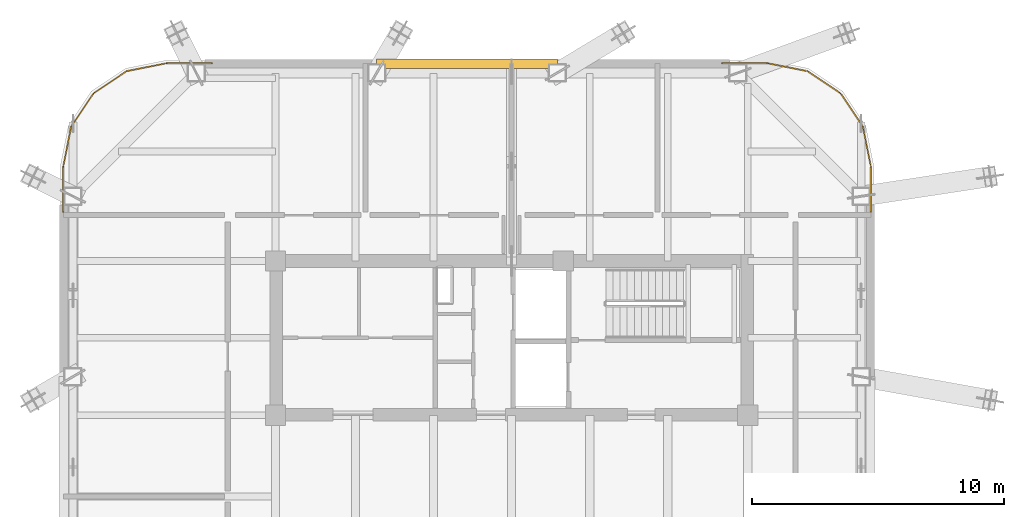
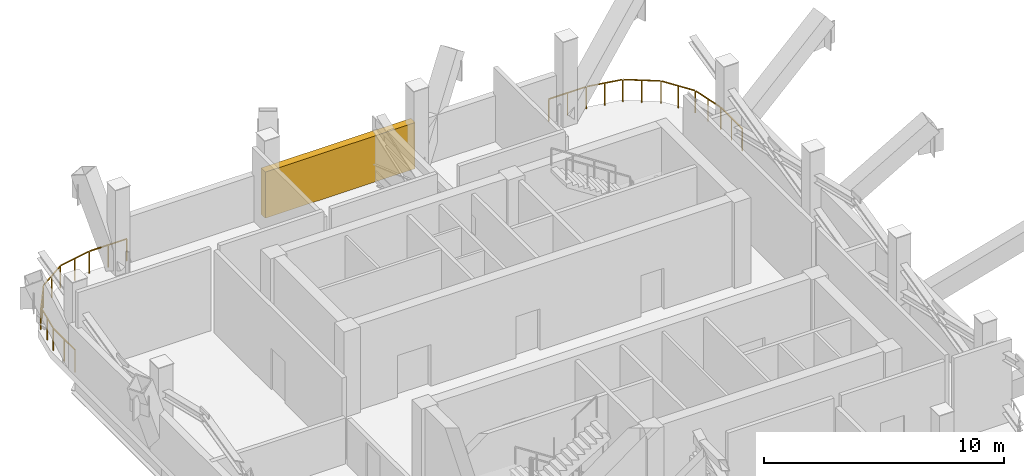
# One storey, part 9 of 9: 2 railings, 1 shading device.
"""IFC4 building model written with IfcOpenShell, lengths in metres."""

from ifc_helpers import new_model, si_unit, direction, frame, origin, origin_2d, place, context, subcontext, project, spatial, rectangle, extrude, material, type_object, element, save


model = new_model("IFC4")

# Units and contexts
model_context = context("Model", 3, precision=1e-05, world=origin(), true_north=direction((0.0, 1.0)))
body_context = subcontext(model_context, "Body", "Model", "MODEL_VIEW")
ifc_project = project(units=[si_unit("LENGTHUNIT", "METRE"), si_unit("AREAUNIT", "SQUARE_METRE"), si_unit("VOLUMEUNIT", "CUBIC_METRE"), si_unit("PLANEANGLEUNIT", "RADIAN"), si_unit("MASSUNIT", "GRAM", prefix="KILO")], contexts=[model_context])

# Site, building, storey
site_placement = place(None, origin())
site = spatial("IfcSite", under=ifc_project, at=site_placement, CompositionType="ELEMENT")
building_placement = place(site_placement, origin())
building = spatial("IfcBuilding", under=site, at=building_placement, Name="Qhalaya Broadcast Tower", CompositionType="ELEMENT")
storey_placement = place(building_placement, frame((0.0, 0.0, 195.14990234375)))
storey = spatial("IfcBuildingStorey", under=building, at=storey_placement, Name="L57", CompositionType="ELEMENT", Elevation=195.14990234375)

# Shading device
ifc_material_1 = material(Name="Fired Architectural Terracotta", Category="masonry")
shading_device_type = type_object("IfcShadingDeviceType", Name="Plant & Turbine-Slot Acoustic Louvre Screen LVS-01", PredefinedType="USERDEFINED", material=ifc_material_1)
shading_device_placement = place(storey_placement, frame((-1.77001953125, 17.780029296875, 0.0), z_axis=(0.0, 0.0, 1.0), x_axis=(1.0, 0.0, 0.0)))
element("IfcShadingDevice", 1, at=shading_device_placement, inside=storey, type_object=shading_device_type, Name="L57 Plant Acoustic Louvre Screen N", ObjectType="LOUVRE", PredefinedType="USERDEFINED", context=body_context, shape_type="SweptSolid", body=[
    extrude(rectangle(XDim=7.199951171875, YDim=0.360107421875, at=origin_2d()), origin(), (0.0, 0.0, 1.0), 2.340087890625),
])

# Railings
ifc_material_2 = material(Name="Powder-Coated Galvanised Steel", Category="steel")
railing_type = type_object("IfcRailingType", Name="Terrace, Sky-Pool & Lookout Glass Balustrade 1150", PredefinedType="BALUSTRADE", material=ifc_material_2)
railing_1_placement = place(storey_placement, frame((-17.800048828125, 11.902099609375, 0.0)))
element("IfcRailing", 2, at=railing_1_placement, inside=storey, type_object=railing_type, Name="L57 Rounded Corner Perimeter Guard 03", PredefinedType="BALUSTRADE", context=body_context, shape_type="SweptSolid", body=[
    extrude(rectangle(XDim=0.048095703125, YDim=0.048095703125, at=origin_2d()), frame((0.0, 0.0, 1.1259765625), z_axis=(0.0, 1.0, 0.0), x_axis=(-1.0, 0.0, 0.0)), (0.0, 0.0, 1.0), 1.77734375),
    extrude(rectangle(XDim=0.048095703125, YDim=0.048095703125, at=origin_2d()), frame((0.005615234375, 1.83447265625, 1.1259765625), z_axis=(0.195090959886, 0.980785153523, 0.0), x_axis=(-0.980785153523, 0.195090959886, 0.0)), (0.0, 0.0, 1.0), 1.54541015625),
    extrude(rectangle(XDim=0.048095703125, YDim=0.048095703125, at=origin_2d()), frame((0.328857421875, 3.40234375, 1.1259765625), z_axis=(0.555655964777, 0.83141232178, 0.0), x_axis=(-0.83141232178, 0.555655964777, 0.0)), (0.0, 0.0, 1.0), 1.533203125),
    extrude(rectangle(XDim=0.048095703125, YDim=0.048095703125, at=origin_2d()), frame((1.220703125, 4.71728515625, 1.1259765625), z_axis=(0.83141232178, 0.555655964777, 0.0), x_axis=(-0.555655964777, 0.83141232178, 0.0)), (0.0, 0.0, 1.0), 1.533203125),
    extrude(rectangle(XDim=0.048095703125, YDim=0.048095703125, at=origin_2d()), frame((2.5478515625, 5.5908203125, 1.1259765625), z_axis=(0.980785153523, 0.195090959886, 0.0), x_axis=(-0.195090959886, 0.980785153523, 0.0)), (0.0, 0.0, 1.0), 1.54541015625),
    extrude(rectangle(XDim=0.048095703125, YDim=0.048095703125, at=origin_2d()), frame((4.12060546875, 5.89794921875, 1.1259765625), z_axis=(1.0, 0.0, 0.0), x_axis=(0.0, 1.0, 0.0)), (0.0, 0.0, 1.0), 1.77734375),
    extrude(rectangle(XDim=0.0419921875, YDim=0.0419921875, at=origin_2d()), origin(), (0.0, 0.0, 1.0), 1.099853515625),
    extrude(rectangle(XDim=0.0419921875, YDim=0.0419921875, at=origin_2d()), frame((0.0, 0.903076171875, 0.0)), (0.0, 0.0, 1.0), 1.099853515625),
    extrude(rectangle(XDim=0.0419921875, YDim=0.0419921875, at=origin_2d()), frame((0.0, 1.80615234375, 0.0)), (0.0, 0.0, 1.0), 1.099853515625),
    extrude(rectangle(XDim=0.0419921875, YDim=0.0419921875, at=origin_2d()), frame((0.15625, 2.59228515625, 0.0)), (0.0, 0.0, 1.0), 1.099853515625),
    extrude(rectangle(XDim=0.0419921875, YDim=0.0419921875, at=origin_2d()), frame((0.312744140625, 3.37841796875, 0.0)), (0.0, 0.0, 1.0), 1.099853515625),
    extrude(rectangle(XDim=0.0419921875, YDim=0.0419921875, at=origin_2d()), frame((0.7548828125, 4.039794921875, 0.0)), (0.0, 0.0, 1.0), 1.099853515625),
    extrude(rectangle(XDim=0.0419921875, YDim=0.0419921875, at=origin_2d()), frame((1.19677734375, 4.701171875, 0.0)), (0.0, 0.0, 1.0), 1.099853515625),
    extrude(rectangle(XDim=0.0419921875, YDim=0.0419921875, at=origin_2d()), frame((1.858154296875, 5.14306640625, 0.0)), (0.0, 0.0, 1.0), 1.099853515625),
    extrude(rectangle(XDim=0.0419921875, YDim=0.0419921875, at=origin_2d()), frame((2.51953125, 5.585205078125, 0.0)), (0.0, 0.0, 1.0), 1.099853515625),
    extrude(rectangle(XDim=0.0419921875, YDim=0.0419921875, at=origin_2d()), frame((3.3056640625, 5.74169921875, 0.0)), (0.0, 0.0, 1.0), 1.099853515625),
    extrude(rectangle(XDim=0.0419921875, YDim=0.0419921875, at=origin_2d()), frame((4.091796875, 5.89794921875, 0.0)), (0.0, 0.0, 1.0), 1.099853515625),
    extrude(rectangle(XDim=0.0419921875, YDim=0.0419921875, at=origin_2d()), frame((4.994873046875, 5.89794921875, 0.0)), (0.0, 0.0, 1.0), 1.099853515625),
    extrude(rectangle(XDim=0.0419921875, YDim=0.0419921875, at=origin_2d()), frame((5.89794921875, 5.89794921875, 0.0)), (0.0, 0.0, 1.0), 1.099853515625),
])
railing_2_placement = place(storey_placement, frame((8.362060546875, 17.800048828125, 0.0)))
element("IfcRailing", 3, at=railing_2_placement, inside=storey, type_object=railing_type, Name="L57 Rounded Corner Perimeter Guard 04", PredefinedType="BALUSTRADE", context=body_context, shape_type="SweptSolid", body=[
    extrude(rectangle(XDim=0.048095703125, YDim=0.048095703125, at=origin_2d()), frame((0.0, 0.0, 1.1259765625), z_axis=(1.0, 0.0, 0.0), x_axis=(0.0, 1.0, 0.0)), (0.0, 0.0, 1.0), 1.77734375),
    extrude(rectangle(XDim=0.048095703125, YDim=0.048095703125, at=origin_2d()), frame((1.83447265625, -0.005615234375, 1.1259765625), z_axis=(0.980785153523, -0.195090959886, 0.0), x_axis=(0.195090959886, 0.980785153523, 0.0)), (0.0, 0.0, 1.0), 1.54541015625),
    extrude(rectangle(XDim=0.048095703125, YDim=0.048095703125, at=origin_2d()), frame((3.40234375, -0.328857421875, 1.1259765625), z_axis=(0.83141232178, -0.555655964777, 0.0), x_axis=(0.555655964777, 0.83141232178, 0.0)), (0.0, 0.0, 1.0), 1.533203125),
    extrude(rectangle(XDim=0.048095703125, YDim=0.048095703125, at=origin_2d()), frame((4.71728515625, -1.220703125, 1.1259765625), z_axis=(0.555655964777, -0.83141232178, 0.0), x_axis=(0.83141232178, 0.555655964777, 0.0)), (0.0, 0.0, 1.0), 1.533203125),
    extrude(rectangle(XDim=0.048095703125, YDim=0.048095703125, at=origin_2d()), frame((5.5908203125, -2.5478515625, 1.1259765625), z_axis=(0.195090959886, -0.980785153523, 0.0), x_axis=(0.980785153523, 0.195090959886, 0.0)), (0.0, 0.0, 1.0), 1.54541015625),
    extrude(rectangle(XDim=0.048095703125, YDim=0.048095703125, at=origin_2d()), frame((5.89794921875, -4.12060546875, 1.1259765625), z_axis=(0.0, -1.0, 0.0), x_axis=(1.0, 0.0, 0.0)), (0.0, 0.0, 1.0), 1.77734375),
    extrude(rectangle(XDim=0.0419921875, YDim=0.0419921875, at=origin_2d()), origin(), (0.0, 0.0, 1.0), 1.099853515625),
    extrude(rectangle(XDim=0.0419921875, YDim=0.0419921875, at=origin_2d()), frame((0.903076171875, 0.0, 0.0)), (0.0, 0.0, 1.0), 1.099853515625),
    extrude(rectangle(XDim=0.0419921875, YDim=0.0419921875, at=origin_2d()), frame((1.80615234375, 0.0, 0.0)), (0.0, 0.0, 1.0), 1.099853515625),
    extrude(rectangle(XDim=0.0419921875, YDim=0.0419921875, at=origin_2d()), frame((2.59228515625, -0.15625, 0.0)), (0.0, 0.0, 1.0), 1.099853515625),
    extrude(rectangle(XDim=0.0419921875, YDim=0.0419921875, at=origin_2d()), frame((3.37841796875, -0.312744140625, 0.0)), (0.0, 0.0, 1.0), 1.099853515625),
    extrude(rectangle(XDim=0.0419921875, YDim=0.0419921875, at=origin_2d()), frame((4.039794921875, -0.7548828125, 0.0)), (0.0, 0.0, 1.0), 1.099853515625),
    extrude(rectangle(XDim=0.0419921875, YDim=0.0419921875, at=origin_2d()), frame((4.701171875, -1.19677734375, 0.0)), (0.0, 0.0, 1.0), 1.099853515625),
    extrude(rectangle(XDim=0.0419921875, YDim=0.0419921875, at=origin_2d()), frame((5.14306640625, -1.858154296875, 0.0)), (0.0, 0.0, 1.0), 1.099853515625),
    extrude(rectangle(XDim=0.0419921875, YDim=0.0419921875, at=origin_2d()), frame((5.585205078125, -2.51953125, 0.0)), (0.0, 0.0, 1.0), 1.099853515625),
    extrude(rectangle(XDim=0.0419921875, YDim=0.0419921875, at=origin_2d()), frame((5.74169921875, -3.3056640625, 0.0)), (0.0, 0.0, 1.0), 1.099853515625),
    extrude(rectangle(XDim=0.0419921875, YDim=0.0419921875, at=origin_2d()), frame((5.89794921875, -4.091796875, 0.0)), (0.0, 0.0, 1.0), 1.099853515625),
    extrude(rectangle(XDim=0.0419921875, YDim=0.0419921875, at=origin_2d()), frame((5.89794921875, -4.994873046875, 0.0)), (0.0, 0.0, 1.0), 1.099853515625),
    extrude(rectangle(XDim=0.0419921875, YDim=0.0419921875, at=origin_2d()), frame((5.89794921875, -5.89794921875, 0.0)), (0.0, 0.0, 1.0), 1.099853515625),
])

save(model, "model.ifc")
